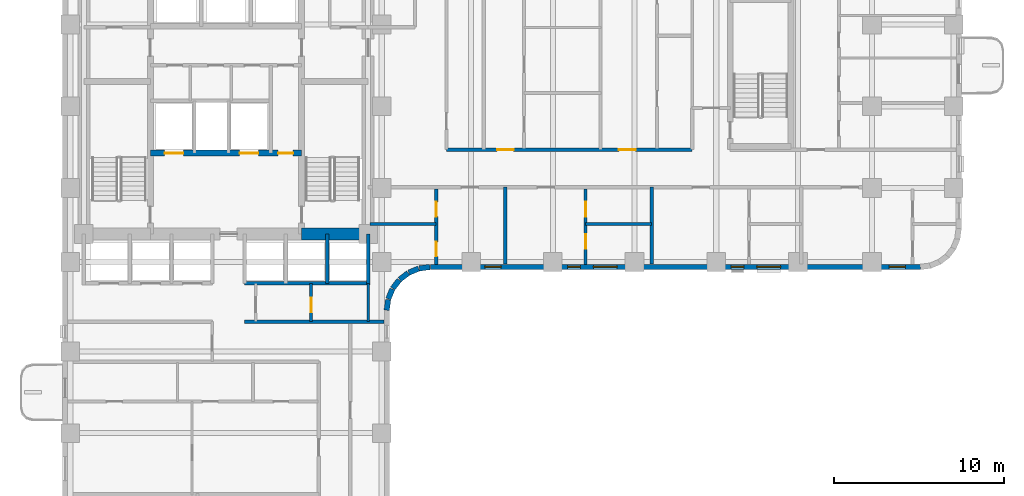
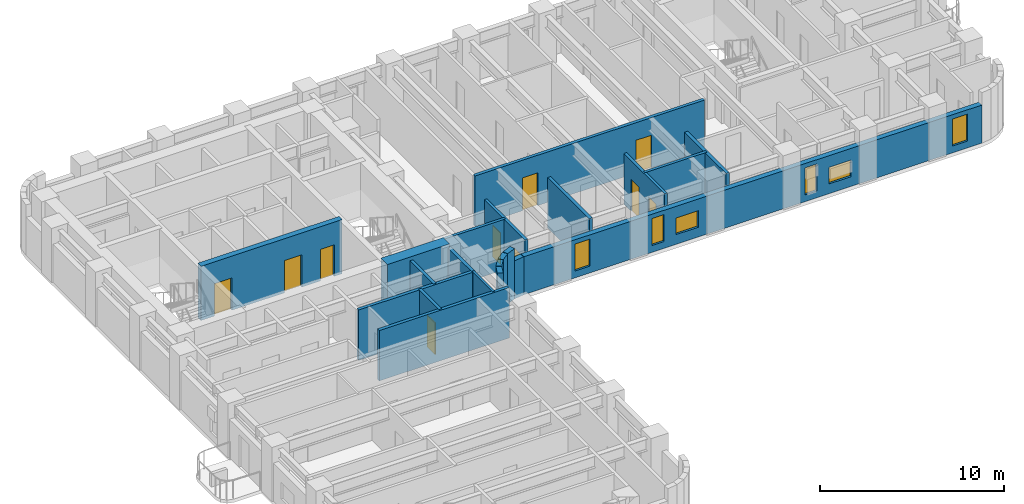
# One storey, part 4 of 11: 22 walls, 10 doors, 6 windows, 16 openings.
"""IFC4 building model written with IfcOpenShell, lengths in metres."""

from ifc_helpers import new_model, si_unit, direction, frame, frame_2d, origin, place, context, subcontext, project, spatial, rectangle, extrude, material, layer, layer_set, type_object, element, fill, save


model = new_model("IFC4")

# Units and contexts
model_context = context("Model", 3, precision=1e-05, world=origin(), true_north=direction((0.0, 1.0)))
body_context = subcontext(model_context, "Body", "Model", "MODEL_VIEW")
ifc_project = project(units=[si_unit("LENGTHUNIT", "METRE"), si_unit("AREAUNIT", "SQUARE_METRE"), si_unit("VOLUMEUNIT", "CUBIC_METRE"), si_unit("PLANEANGLEUNIT", "RADIAN"), si_unit("MASSUNIT", "GRAM", prefix="KILO")], contexts=[model_context])

# Site, building, storey
site_placement = place(None, origin())
site = spatial("IfcSite", under=ifc_project, at=site_placement, CompositionType="ELEMENT")
building_placement = place(site_placement, origin())
building = spatial("IfcBuilding", under=site, at=building_placement, Name="Orvandelia Arch Residences", CompositionType="ELEMENT")
storey_placement = place(building_placement, frame((0.0, 0.0, 79.0)))
storey = spatial("IfcBuildingStorey", under=building, at=storey_placement, Name="L20", CompositionType="ELEMENT", Elevation=79.0)

# Wall, openings, doors
ifc_material_1 = material(Name="Concrete C50/60", Category="concrete")
ifc_layer_1 = layer(ifc_material_1, 0.35009765625, Name="Concrete C50/60", Category="concrete")
ifc_layer_set_1 = layer_set([ifc_layer_1], Name="Concrete C50/60")
wall_type_1 = type_object("IfcWallType", Name="WL-CORE-350", PredefinedType="SHEAR", material=ifc_layer_set_1)
wall_1_placement = place(storey_placement, frame((9.9599609375, 35.64990234375, 0.0), z_axis=(0.0, 0.0, 1.0), x_axis=(1.0, 0.0, 0.0)))
wall_1 = element("IfcWall", 1, at=wall_1_placement, inside=storey, type_object=wall_type_1, Name="Core Shear Wall L20-HZ3", PredefinedType="SHEAR", context=body_context, shape_type="SweptSolid", body=[
    extrude(rectangle(XDim=8.880126953125, YDim=0.35009765625, at=frame_2d((4.43994140625, 0.0))), origin(), (0.0, 0.0, 1.0), 3.60009765625),
])
opening_1_placement = place(wall_1_placement, frame((0.840087890625, 0.0, 0.0)))
opening_1 = element("IfcOpeningElement", 2, at=opening_1_placement, cuts=wall_1, Name="Opening FLD", PredefinedType="OPENING", context=body_context, shape_type="SweptSolid", body=[
    extrude(rectangle(XDim=1.10009765625, YDim=2.14990234375, at=frame_2d((0.550048828125, 1.074951171875))), frame((0.0, 0.18505859375, 0.0), z_axis=(0.0, -1.0, 0.0), x_axis=(1.0, 0.0, 0.0)), (0.0, 0.0, 1.0), 0.3701171875),
])
opening_2_placement = place(wall_1_placement, frame((5.239990234375, 0.0, 0.0)))
opening_2 = element("IfcOpeningElement", 3, at=opening_2_placement, cuts=wall_1, Name="Opening FLD", PredefinedType="OPENING", context=body_context, shape_type="SweptSolid", body=[
    extrude(rectangle(XDim=1.10009765625, YDim=2.14990234375, at=frame_2d((0.550048828125, 1.074951171875))), frame((0.0, 0.18505859375, 0.0), z_axis=(0.0, -1.0, 0.0), x_axis=(1.0, 0.0, 0.0)), (0.0, 0.0, 1.0), 0.3701171875),
])
opening_3_placement = place(wall_1_placement, frame((7.5, 0.0, 0.0)))
opening_3 = element("IfcOpeningElement", 4, at=opening_3_placement, cuts=wall_1, Name="Opening D5", PredefinedType="OPENING", context=body_context, shape_type="SweptSolid", body=[
    extrude(rectangle(XDim=0.8798828125, YDim=2.10009765625, at=frame_2d((0.43994140625, 1.050048828125))), frame((0.0, 0.18505859375, 0.0), z_axis=(0.0, -1.0, 0.0), x_axis=(1.0, 0.0, 0.0)), (0.0, 0.0, 1.0), 0.3701171875),
])
ifc_material_2 = material(Name="Firefighting Lift Stainless Sliding Door")
door_type_1 = type_object("IfcDoorType", Name="DR-FLFT-1100", OperationType="NOTDEFINED", PredefinedType="DOOR", material=ifc_material_2)
door_1_placement = place(opening_1_placement, origin())
door_1 = element("IfcDoor", 5, at=door_1_placement, inside=storey, type_object=door_type_1, Name="Firefighting Lift Landing Door FLD-FL1-L20", OperationType="SLIDING_TO_LEFT", OverallHeight=2.14990234375, OverallWidth=1.10009765625, PredefinedType="DOOR", context=body_context, shape_type="SweptSolid", body=[
    extrude(rectangle(XDim=1.10009765625, YDim=2.14990234375, at=frame_2d((0.550048828125, 1.074951171875))), frame((0.0, 0.02490234375, 0.0), z_axis=(0.0, -1.0, 0.0), x_axis=(1.0, 0.0, 0.0)), (0.0, 0.0, 1.0), 0.050048828125),
])
fill(opening_1, door_1)
door_2_placement = place(opening_2_placement, origin())
door_2 = element("IfcDoor", 6, at=door_2_placement, inside=storey, type_object=door_type_1, Name="Firefighting Lift Landing Door FLD-FL2-L20", OperationType="SLIDING_TO_RIGHT", OverallHeight=2.14990234375, OverallWidth=1.10009765625, PredefinedType="DOOR", context=body_context, shape_type="SweptSolid", body=[
    extrude(rectangle(XDim=1.10009765625, YDim=2.14990234375, at=frame_2d((0.550048828125, 1.074951171875))), frame((0.0, 0.02490234375, 0.0), z_axis=(0.0, -1.0, 0.0), x_axis=(1.0, 0.0, 0.0)), (0.0, 0.0, 1.0), 0.050048828125),
])
fill(opening_2, door_2)
ifc_material_3 = material(Name="Painted Galvanised Steel Service Door", Category="steel")
door_type_2 = type_object("IfcDoorType", Name="DR-SRV-880", OperationType="NOTDEFINED", PredefinedType="DOOR", material=ifc_material_3)
door_3_placement = place(opening_3_placement, origin())
door_3 = element("IfcDoor", 7, at=door_3_placement, inside=storey, type_object=door_type_2, Name="Core Stairway Passage South Fire Door L20", OperationType="SINGLE_SWING_LEFT", OverallHeight=2.10009765625, OverallWidth=0.8798828125, PredefinedType="DOOR", context=body_context, shape_type="SweptSolid", body=[
    extrude(rectangle(XDim=0.8798828125, YDim=2.10009765625, at=frame_2d((0.43994140625, 1.050048828125))), frame((0.0, 0.02490234375, 0.0), z_axis=(0.0, -1.0, 0.0), x_axis=(1.0, 0.0, 0.0)), (0.0, 0.0, 1.0), 0.050048828125),
])
fill(opening_3, door_3)

# Walls
ifc_material_4 = material(Name="Concrete C80/95", Category="concrete")
ifc_layer_2 = layer(ifc_material_4, 0.699951171875, Name="Concrete C80/95", Category="concrete")
ifc_layer_set_2 = layer_set([ifc_layer_2], Name="Concrete C80/95")
wall_type_2 = type_object("IfcWallType", Name="WL-CORE-700", PredefinedType="SHEAR", material=ifc_layer_set_2)
wall_2_placement = place(storey_placement, frame((18.840087890625, 30.89990234375, 0.0), z_axis=(0.0, 0.0, 1.0), x_axis=(1.0, 0.0, 0.0)))
element("IfcWall", 8, at=wall_2_placement, inside=storey, type_object=wall_type_2, Name="Core Shear Wall L20-SE", PredefinedType="SHEAR", context=body_context, shape_type="SweptSolid", body=[
    extrude(rectangle(XDim=3.909912109375, YDim=0.699951171875, at=frame_2d((1.955078125, 0.0))), origin(), (0.0, 0.0, 1.0), 3.60009765625),
])
ifc_material_5 = material(Name="Fire-Rated Corridor Partition")
ifc_layer_3 = layer(ifc_material_5, 0.199951171875, Name="Fire-Rated Corridor Partition")
ifc_layer_set_3 = layer_set([ifc_layer_3], Name="Fire-Rated Corridor Partition")
wall_type_3 = type_object("IfcWallType", Name="WL-CORR-200", PredefinedType="PARTITIONING", material=ifc_layer_set_3)
wall_3_placement = place(storey_placement, frame((15.5, 25.75, 0.0), z_axis=(0.0, 0.0, 1.0), x_axis=(1.0, 0.0, 0.0)))
element("IfcWall", 9, at=wall_3_placement, inside=storey, type_object=wall_type_3, Name="Interior Partition Wall WL-L20-WLNK-NE", PredefinedType="PARTITIONING", context=body_context, shape_type="SweptSolid", body=[
    extrude(rectangle(XDim=8.179931640625, YDim=0.199951171875, at=frame_2d((4.08984375, 0.0))), origin(), (0.0, 0.0, 1.0), 3.35009765625),
])

# Wall, openings, doors
wall_4_placement = place(storey_placement, frame((27.35009765625, 35.85009765625, 0.0), z_axis=(0.0, 0.0, 1.0), x_axis=(1.0, 0.0, 0.0)))
wall_4 = element("IfcWall", 10, at=wall_4_placement, inside=storey, type_object=wall_type_3, Name="Interior Partition Wall WL-L20-ES-N1", PredefinedType="PARTITIONING", context=body_context, shape_type="SweptSolid", body=[
    extrude(rectangle(XDim=14.429931640625, YDim=0.199951171875, at=frame_2d((7.21484375, 0.0))), origin(), (0.0, 0.0, 1.0), 3.35009765625),
])
opening_4_placement = place(wall_4_placement, frame((2.969970703125, 0.0, 0.0)))
opening_4 = element("IfcOpeningElement", 11, at=opening_4_placement, cuts=wall_4, Name="Opening D1", PredefinedType="OPENING", context=body_context, shape_type="SweptSolid", body=[
    extrude(rectangle(XDim=0.97998046875, YDim=2.179931640625, at=frame_2d((0.489990234375, 1.08984375))), frame((0.0, 0.10986328125, 0.0), z_axis=(0.0, -1.0, 0.0), x_axis=(1.0, 0.0, 0.0)), (0.0, 0.0, 1.0), 0.219970703125),
])
opening_5_placement = place(wall_4_placement, frame((10.125, 0.0, 0.0)))
opening_5 = element("IfcOpeningElement", 12, at=opening_5_placement, cuts=wall_4, Name="Opening D1", PredefinedType="OPENING", context=body_context, shape_type="SweptSolid", body=[
    extrude(rectangle(XDim=0.97998046875, YDim=2.179931640625, at=frame_2d((0.489990234375, 1.08984375))), frame((0.0, 0.10986328125, 0.0), z_axis=(0.0, -1.0, 0.0), x_axis=(1.0, 0.0, 0.0)), (0.0, 0.0, 1.0), 0.219970703125),
])
ifc_material_6 = material(Name="Solid-Core Timber Acoustic Fire Door", Category="wood")
door_type_3 = type_object("IfcDoorType", Name="DR-ENT-980", OperationType="NOTDEFINED", PredefinedType="DOOR", material=ifc_material_6)
door_4_placement = place(opening_4_placement, origin())
door_4 = element("IfcDoor", 13, at=door_4_placement, inside=storey, type_object=door_type_3, Name="Unit L20-08 Entrance Door", OperationType="SINGLE_SWING_RIGHT", OverallHeight=2.179931640625, OverallWidth=0.97998046875, PredefinedType="DOOR", context=body_context, shape_type="SweptSolid", body=[
    extrude(rectangle(XDim=0.97998046875, YDim=2.179931640625, at=frame_2d((0.489990234375, 1.08984375))), frame((0.0, 0.02490234375, 0.0), z_axis=(0.0, -1.0, 0.0), x_axis=(1.0, 0.0, 0.0)), (0.0, 0.0, 1.0), 0.050048828125),
])
fill(opening_4, door_4)
door_5_placement = place(opening_5_placement, origin())
door_5 = element("IfcDoor", 14, at=door_5_placement, inside=storey, type_object=door_type_3, Name="Unit L20-09 Entrance Door", OperationType="SINGLE_SWING_LEFT", OverallHeight=2.179931640625, OverallWidth=0.97998046875, PredefinedType="DOOR", context=body_context, shape_type="SweptSolid", body=[
    extrude(rectangle(XDim=0.97998046875, YDim=2.179931640625, at=frame_2d((0.489990234375, 1.08984375))), frame((0.0, 0.02490234375, 0.0), z_axis=(0.0, -1.0, 0.0), x_axis=(1.0, 0.0, 0.0)), (0.0, 0.0, 1.0), 0.050048828125),
])
fill(opening_5, door_5)

# Walls
ifc_material_7 = material(Name="Concrete C40/50", Category="concrete")
ifc_layer_4 = layer(ifc_material_7, 0.199951171875, Name="Concrete C40/50", Category="concrete")
ifc_layer_set_4 = layer_set([ifc_layer_4], Name="Concrete C40/50")
wall_type_4 = type_object("IfcWallType", Name="WL-DEM-200", PredefinedType="SOLIDWALL", material=ifc_layer_set_4)
for number, where, z_axis, x_axis, name in (
    (15, (30.800048828125, 29.1201171875, 0.0), (0.0, 0.0, 1.0), (0.0, 1.0, 0.0), "Interior Partition Wall WL-L20-DEM-ESS-308"),
    (16, (39.39990234375, 29.1201171875, 0.0), (0.0, 0.0, 1.0), (0.0, 1.0, 0.0), "Interior Partition Wall WL-L20-DEM-ESS-394"),
):
    element("IfcWall", number, at=place(storey_placement, frame(where, z_axis=z_axis, x_axis=x_axis)), inside=storey, type_object=wall_type_4, Name=name, PredefinedType="SOLIDWALL", context=body_context, shape_type="SweptSolid", body=[
        extrude(rectangle(XDim=4.52978515625, YDim=0.199951171875, at=frame_2d((2.264892578125, 0.0))), origin(), (0.0, 0.0, 1.0), 3.35009765625),
    ])

# Wall, openings, windows
ifc_material_8 = material(Name="Precast concrete C40/50", Category="concrete")
ifc_layer_5 = layer(ifc_material_8, 0.320068359375, Name="Precast concrete C40/50", Category="concrete")
ifc_layer_set_5 = layer_set([ifc_layer_5], Name="Precast concrete C40/50")
wall_type_5 = type_object("IfcWallType", Name="WL-EXT-STONE-320", PredefinedType="STANDARD", material=ifc_layer_set_5)
wall_5_placement = place(storey_placement, frame((55.199951171875, 28.9599609375, 0.0), z_axis=(0.0, 0.0, 1.0), x_axis=(-1.0, 0.0, 0.0)))
wall_5 = element("IfcWall", 17, at=wall_5_placement, inside=storey, type_object=wall_type_5, Name="Coral-Limestone Precast Facade Wall L20-021", PredefinedType="STANDARD", context=body_context, shape_type="SweptSolid", body=[
    extrude(rectangle(XDim=28.800048828125, YDim=0.320068359375, at=frame_2d((14.39990234375, 0.0))), origin(), (0.0, 0.0, 1.0), 2.530029296875),
])
opening_6_placement = place(wall_5_placement, frame((24.639892578125, 0.0, 0.449951171875)))
opening_6 = element("IfcOpeningElement", 18, at=opening_6_placement, cuts=wall_5, Name="Opening W4", PredefinedType="OPENING", context=body_context, shape_type="SweptSolid", body=[
    extrude(rectangle(XDim=0.949951171875, YDim=1.800048828125, at=frame_2d((0.47509765625, 0.89990234375))), frame((0.0, 0.169921875, 0.0), z_axis=(0.0, -1.0, 0.0), x_axis=(1.0, 0.0, 0.0)), (0.0, 0.0, 1.0), 0.340087890625),
])
opening_7_placement = place(wall_5_placement, frame((19.97900390625, 0.0, 0.449951171875)))
opening_7 = element("IfcOpeningElement", 19, at=opening_7_placement, cuts=wall_5, Name="Opening W11", PredefinedType="OPENING", context=body_context, shape_type="SweptSolid", body=[
    extrude(rectangle(XDim=0.75, YDim=1.800048828125, at=frame_2d((0.375, 0.89990234375))), frame((0.0, 0.169921875, 0.0), z_axis=(0.0, -1.0, 0.0), x_axis=(1.0, 0.0, 0.0)), (0.0, 0.0, 1.0), 0.340087890625),
])
opening_8_placement = place(wall_5_placement, frame((10.3740234375, 0.0, 0.449951171875)))
opening_8 = element("IfcOpeningElement", 20, at=opening_8_placement, cuts=wall_5, Name="Opening W11", PredefinedType="OPENING", context=body_context, shape_type="SweptSolid", body=[
    extrude(rectangle(XDim=0.75, YDim=1.800048828125, at=frame_2d((0.375, 0.89990234375))), frame((0.0, 0.169921875, 0.0), z_axis=(0.0, -1.0, 0.0), x_axis=(1.0, 0.0, 0.0)), (0.0, 0.0, 1.0), 0.340087890625),
])
opening_9_placement = place(wall_5_placement, frame((0.89990234375, 0.0, 0.449951171875)))
opening_9 = element("IfcOpeningElement", 21, at=opening_9_placement, cuts=wall_5, Name="Opening W4", PredefinedType="OPENING", context=body_context, shape_type="SweptSolid", body=[
    extrude(rectangle(XDim=0.949951171875, YDim=1.800048828125, at=frame_2d((0.47509765625, 0.89990234375))), frame((0.0, 0.169921875, 0.0), z_axis=(0.0, -1.0, 0.0), x_axis=(1.0, 0.0, 0.0)), (0.0, 0.0, 1.0), 0.340087890625),
])
opening_10_placement = place(wall_5_placement, frame((17.823974609375, 0.0, 0.64990234375)))
opening_10 = element("IfcOpeningElement", 22, at=opening_10_placement, cuts=wall_5, Name="Opening W10", PredefinedType="OPENING", context=body_context, shape_type="SweptSolid", body=[
    extrude(rectangle(XDim=1.39990234375, YDim=1.10009765625, at=frame_2d((0.699951171875, 0.550048828125))), frame((0.0, 0.169921875, 0.0), z_axis=(0.0, -1.0, 0.0), x_axis=(1.0, 0.0, 0.0)), (0.0, 0.0, 1.0), 0.340087890625),
])
opening_11_placement = place(wall_5_placement, frame((8.218994140625, 0.0, 0.64990234375)))
opening_11 = element("IfcOpeningElement", 23, at=opening_11_placement, cuts=wall_5, Name="Opening W10", PredefinedType="OPENING", context=body_context, shape_type="SweptSolid", body=[
    extrude(rectangle(XDim=1.39990234375, YDim=1.10009765625, at=frame_2d((0.699951171875, 0.550048828125))), frame((0.0, 0.169921875, 0.0), z_axis=(0.0, -1.0, 0.0), x_axis=(1.0, 0.0, 0.0)), (0.0, 0.0, 1.0), 0.340087890625),
])
ifc_material_9 = material(Name="Tempered Low-E Insulated Glazing", Category="glass")
window_type_1 = type_object("IfcWindowType", Name="WIN-BED-0750x1800", PartitioningType="SINGLE_PANEL", PredefinedType="WINDOW", material=ifc_material_9)
window_1_placement = place(opening_7_placement, origin())
window_1 = element("IfcWindow", 24, at=window_1_placement, inside=storey, type_object=window_type_1, Name="Recessed Punched Window L20-017", OverallHeight=1.800048828125, OverallWidth=0.75, PartitioningType="SINGLE_PANEL", PredefinedType="WINDOW", context=body_context, shape_type="SweptSolid", body=[
    extrude(rectangle(XDim=0.75, YDim=1.800048828125, at=frame_2d((0.375, 0.89990234375))), frame((0.0, 0.030029296875, 0.0), z_axis=(0.0, -1.0, 0.0), x_axis=(1.0, 0.0, 0.0)), (0.0, 0.0, 1.0), 0.06005859375),
])
fill(opening_7, window_1)
window_2_placement = place(opening_8_placement, origin())
window_2 = element("IfcWindow", 25, at=window_2_placement, inside=storey, type_object=window_type_1, Name="Recessed Punched Window L20-018", OverallHeight=1.800048828125, OverallWidth=0.75, PartitioningType="SINGLE_PANEL", PredefinedType="WINDOW", context=body_context, shape_type="SweptSolid", body=[
    extrude(rectangle(XDim=0.75, YDim=1.800048828125, at=frame_2d((0.375, 0.89990234375))), frame((0.0, 0.030029296875, 0.0), z_axis=(0.0, -1.0, 0.0), x_axis=(1.0, 0.0, 0.0)), (0.0, 0.0, 1.0), 0.06005859375),
])
fill(opening_8, window_2)
window_type_2 = type_object("IfcWindowType", Name="WIN-CLR-1400x1100", PartitioningType="SINGLE_PANEL", PredefinedType="WINDOW", material=ifc_material_9)
window_3_placement = place(opening_10_placement, origin())
window_3 = element("IfcWindow", 26, at=window_3_placement, inside=storey, type_object=window_type_2, Name="Recessed Punched Window L20-020", OverallHeight=1.10009765625, OverallWidth=1.39990234375, PartitioningType="SINGLE_PANEL", PredefinedType="WINDOW", context=body_context, shape_type="SweptSolid", body=[
    extrude(rectangle(XDim=1.39990234375, YDim=1.10009765625, at=frame_2d((0.699951171875, 0.550048828125))), frame((0.0, 0.030029296875, 0.0), z_axis=(0.0, -1.0, 0.0), x_axis=(1.0, 0.0, 0.0)), (0.0, 0.0, 1.0), 0.06005859375),
])
fill(opening_10, window_3)
window_4_placement = place(opening_11_placement, origin())
window_4 = element("IfcWindow", 27, at=window_4_placement, inside=storey, type_object=window_type_2, Name="Recessed Punched Window L20-021", OverallHeight=1.10009765625, OverallWidth=1.39990234375, PartitioningType="SINGLE_PANEL", PredefinedType="WINDOW", context=body_context, shape_type="SweptSolid", body=[
    extrude(rectangle(XDim=1.39990234375, YDim=1.10009765625, at=frame_2d((0.699951171875, 0.550048828125))), frame((0.0, 0.030029296875, 0.0), z_axis=(0.0, -1.0, 0.0), x_axis=(1.0, 0.0, 0.0)), (0.0, 0.0, 1.0), 0.06005859375),
])
fill(opening_11, window_4)
window_type_3 = type_object("IfcWindowType", Name="WIN-RES-0950x1800", PartitioningType="SINGLE_PANEL", PredefinedType="WINDOW", material=ifc_material_9)
window_5_placement = place(opening_6_placement, origin())
window_5 = element("IfcWindow", 28, at=window_5_placement, inside=storey, type_object=window_type_3, Name="Recessed Punched Window L20-016", OverallHeight=1.800048828125, OverallWidth=0.949951171875, PartitioningType="SINGLE_PANEL", PredefinedType="WINDOW", context=body_context, shape_type="SweptSolid", body=[
    extrude(rectangle(XDim=0.949951171875, YDim=1.800048828125, at=frame_2d((0.47509765625, 0.89990234375))), frame((0.0, 0.030029296875, 0.0), z_axis=(0.0, -1.0, 0.0), x_axis=(1.0, 0.0, 0.0)), (0.0, 0.0, 1.0), 0.06005859375),
])
fill(opening_6, window_5)
window_6_placement = place(opening_9_placement, origin())
window_6 = element("IfcWindow", 29, at=window_6_placement, inside=storey, type_object=window_type_3, Name="Recessed Punched Window L20-019", OverallHeight=1.800048828125, OverallWidth=0.949951171875, PartitioningType="SINGLE_PANEL", PredefinedType="WINDOW", context=body_context, shape_type="SweptSolid", body=[
    extrude(rectangle(XDim=0.949951171875, YDim=1.800048828125, at=frame_2d((0.47509765625, 0.89990234375))), frame((0.0, 0.030029296875, 0.0), z_axis=(0.0, -1.0, 0.0), x_axis=(1.0, 0.0, 0.0)), (0.0, 0.0, 1.0), 0.06005859375),
])
fill(opening_9, window_6)

# Walls
wall_6_placement = place(storey_placement, frame((26.379150390625, 28.95849609375, 0.0), z_axis=(0.0, 0.0, 1.0), x_axis=(-0.991447664465, -0.130504898859, 0.0)))
element("IfcWall", 30, at=wall_6_placement, inside=storey, type_object=wall_type_5, Name="Coral-Limestone Precast Facade Wall L20-022", PredefinedType="STANDARD", context=body_context, shape_type="SweptSolid", body=[
    extrude(rectangle(XDim=0.626708984375, YDim=0.320068359375, at=frame_2d((0.3134765625, 0.0))), origin(), (0.0, 0.0, 1.0), 2.530029296875),
])
wall_7_placement = place(storey_placement, frame((25.717529296875, 28.865966796875, 0.0), z_axis=(0.0, 0.0, 1.0), x_axis=(-0.923836271867, -0.382787856107, 0.0)))
element("IfcWall", 31, at=wall_7_placement, inside=storey, type_object=wall_type_5, Name="Coral-Limestone Precast Facade Wall L20-023", PredefinedType="STANDARD", context=body_context, shape_type="SweptSolid", body=[
    extrude(rectangle(XDim=0.626220703125, YDim=0.320068359375, at=frame_2d((0.31298828125, 0.0))), origin(), (0.0, 0.0, 1.0), 3.35009765625),
])
for number, where, z_axis, x_axis, name in (
    (32, (25.1025390625, 28.60546875, 0.0), (0.0, 0.0, 1.0), (-0.793405610854, -0.608693302629, 0.0), "Coral-Limestone Precast Facade Wall L20-024"),
    (33, (24.575927734375, 28.194580078125, 0.0), (0.0, 0.0, 1.0), (-0.608693302629, -0.793405610854, 0.0), "Coral-Limestone Precast Facade Wall L20-025"),
):
    element("IfcWall", number, at=place(storey_placement, frame(where, z_axis=z_axis, x_axis=x_axis)), inside=storey, type_object=wall_type_5, Name=name, PredefinedType="STANDARD", context=body_context, shape_type="SweptSolid", body=[
        extrude(rectangle(XDim=0.62646484375, YDim=0.320068359375, at=frame_2d((0.313232421875, 0.0))), origin(), (0.0, 0.0, 1.0), 3.35009765625),
    ])
wall_8_placement = place(storey_placement, frame((24.173583984375, 27.6611328125, 0.0), z_axis=(0.0, 0.0, 1.0), x_axis=(-0.382455093999, -0.923974080304, 0.0)))
element("IfcWall", 34, at=wall_8_placement, inside=storey, type_object=wall_type_5, Name="Coral-Limestone Precast Facade Wall L20-026", PredefinedType="STANDARD", context=body_context, shape_type="SweptSolid", body=[
    extrude(rectangle(XDim=0.626220703125, YDim=0.320068359375, at=frame_2d((0.31298828125, 0.0))), origin(), (0.0, 0.0, 1.0), 3.35009765625),
])
wall_9_placement = place(storey_placement, frame((23.923095703125, 27.0419921875, 0.0), z_axis=(0.0, 0.0, 1.0), x_axis=(-0.130555323746, -0.9914410257, 0.0)))
element("IfcWall", 35, at=wall_9_placement, inside=storey, type_object=wall_type_5, Name="Coral-Limestone Precast Facade Wall L20-027", PredefinedType="STANDARD", context=body_context, shape_type="SweptSolid", body=[
    extrude(rectangle(XDim=0.62646484375, YDim=0.320068359375, at=frame_2d((0.313232421875, 0.0))), origin(), (0.0, 0.0, 1.0), 2.530029296875),
])
ifc_material_10 = material(Name="Acoustic Gypsum Stud Partition")
ifc_layer_6 = layer(ifc_material_10, 0.14990234375, Name="Acoustic Gypsum Stud Partition")
ifc_layer_set_6 = layer_set([ifc_layer_6], Name="Acoustic Gypsum Stud Partition")
wall_type_6 = type_object("IfcWallType", Name="WL-PART-150", PredefinedType="PARTITIONING", material=ifc_layer_set_6)
wall_10_placement = place(storey_placement, frame((22.75, 25.75, 0.0), z_axis=(0.0, 0.0, 1.0), x_axis=(0.0, 1.0, 0.0)))
element("IfcWall", 36, at=wall_10_placement, inside=storey, type_object=wall_type_6, Name="Interior Partition Wall WL-L20-HLS-EE", PredefinedType="PARTITIONING", context=body_context, shape_type="SweptSolid", body=[
    extrude(rectangle(XDim=2.25, YDim=0.14990234375, at=frame_2d((1.125, 0.0))), origin(), (0.0, 0.0, 1.0), 3.35009765625),
])
ifc_material_11 = material(Name="Fire-Rated Shaft Enclosure Wall")
ifc_layer_7 = layer(ifc_material_11, 0.199951171875, Name="Fire-Rated Shaft Enclosure Wall")
ifc_layer_set_7 = layer_set([ifc_layer_7], Name="Fire-Rated Shaft Enclosure Wall")
wall_type_7 = type_object("IfcWallType", Name="WL-SHAFT-200", PredefinedType="POLYGONAL", material=ifc_layer_set_7)
wall_11_placement = place(storey_placement, frame((15.5, 28.0, 0.0), z_axis=(0.0, 0.0, 1.0), x_axis=(1.0, 0.0, 0.0)))
element("IfcWall", 37, at=wall_11_placement, inside=storey, type_object=wall_type_7, Name="Interior Partition Wall WL-L20-BNKM-S", PredefinedType="POLYGONAL", context=body_context, shape_type="SweptSolid", body=[
    extrude(rectangle(XDim=7.25, YDim=0.199951171875, at=frame_2d((3.625, 0.0))), origin(), (0.0, 0.0, 1.0), 3.35009765625),
])
wall_12_placement = place(storey_placement, frame((22.75, 27.89990234375, 0.0), z_axis=(0.0, 0.0, 1.0), x_axis=(0.0, 1.0, 0.0)))
element("IfcWall", 38, at=wall_12_placement, inside=storey, type_object=wall_type_7, Name="Interior Partition Wall WL-L20-BNKM-E", PredefinedType="POLYGONAL", context=body_context, shape_type="SweptSolid", body=[
    extrude(rectangle(XDim=3.0, YDim=0.199951171875, at=frame_2d((1.5, 0.0))), origin(), (0.0, 0.0, 1.0), 3.35009765625),
])
wall_13_placement = place(storey_placement, frame((20.35009765625, 28.0, 0.0), z_axis=(0.0, 0.0, 1.0), x_axis=(0.0, 1.0, 0.0)))
element("IfcWall", 39, at=wall_13_placement, inside=storey, type_object=wall_type_7, Name="Interior Partition Wall WL-L20-BNKD-2035", PredefinedType="POLYGONAL", context=body_context, shape_type="SweptSolid", body=[
    extrude(rectangle(XDim=2.89990234375, YDim=0.199951171875, at=frame_2d((1.449951171875, 0.0))), origin(), (0.0, 0.0, 1.0), 3.35009765625),
])

# Wall, opening, door
ifc_material_12 = material(Name="Moisture-Resistant Plumbing Wall")
ifc_layer_8 = layer(ifc_material_12, 0.179931640625, Name="Moisture-Resistant Plumbing Wall")
ifc_layer_set_8 = layer_set([ifc_layer_8], Name="Moisture-Resistant Plumbing Wall")
wall_type_8 = type_object("IfcWallType", Name="WL-WET-180", PredefinedType="PLUMBINGWALL", material=ifc_layer_set_8)
wall_14_placement = place(storey_placement, frame((19.39990234375, 25.75, 0.0), z_axis=(0.0, 0.0, 1.0), x_axis=(0.0, 1.0, 0.0)))
wall_14 = element("IfcWall", 40, at=wall_14_placement, inside=storey, type_object=wall_type_8, Name="Interior Partition Wall WL-L20-HLS-ZM2", PredefinedType="PLUMBINGWALL", context=body_context, shape_type="SweptSolid", body=[
    extrude(rectangle(XDim=2.25, YDim=0.179931640625, at=frame_2d((1.125, 0.0))), origin(), (0.0, 0.0, 1.0), 3.35009765625),
])
opening_12_placement = place(wall_14_placement, frame((0.550048828125, 0.0, 0.0)))
opening_12 = element("IfcOpeningElement", 41, at=opening_12_placement, cuts=wall_14, Name="Opening D4", PredefinedType="OPENING", context=body_context, shape_type="SweptSolid", body=[
    extrude(rectangle(XDim=0.860107421875, YDim=2.10009765625, at=frame_2d((0.43017578125, 1.050048828125))), frame((0.0, 0.10009765625, 0.0), z_axis=(0.0, -1.0, 0.0), x_axis=(1.0, 0.0, 0.0)), (0.0, 0.0, 1.0), 0.199951171875),
])
ifc_material_13 = material(Name="Moisture-Sealed Timber Bathroom Door", Category="wood")
door_type_4 = type_object("IfcDoorType", Name="DR-WET-900", OperationType="NOTDEFINED", PredefinedType="DOOR", material=ifc_material_13)
door_6_placement = place(opening_12_placement, origin())
door_6 = element("IfcDoor", 42, at=door_6_placement, inside=storey, type_object=door_type_4, Name="DR-L20-CSZ1B", OperationType="SINGLE_SWING_LEFT", OverallHeight=2.10009765625, OverallWidth=0.860107421875, PredefinedType="DOOR", context=body_context, shape_type="SweptSolid", body=[
    extrude(rectangle(XDim=0.860107421875, YDim=2.10009765625, at=frame_2d((0.43017578125, 1.050048828125))), frame((0.0, 0.02490234375, 0.0), z_axis=(0.0, -1.0, 0.0), x_axis=(1.0, 0.0, 0.0)), (0.0, 0.0, 1.0), 0.050048828125),
])
fill(opening_12, door_6)

# Wall, openings, doors
wall_15_placement = place(storey_placement, frame((26.75, 29.1201171875, 0.0), z_axis=(0.0, 0.0, 1.0), x_axis=(0.0, 1.0, 0.0)))
wall_15 = element("IfcWall", 43, at=wall_15_placement, inside=storey, type_object=wall_type_8, Name="Interior Partition Wall WL-L20-U04-VT", PredefinedType="PLUMBINGWALL", context=body_context, shape_type="SweptSolid", body=[
    extrude(rectangle(XDim=4.429931640625, YDim=0.179931640625, at=frame_2d((2.21484375, 0.0))), origin(), (0.0, 0.0, 1.0), 3.35009765625),
])
opening_13_placement = place(wall_15_placement, frame((0.458740234375, 0.0, 0.0)))
opening_13 = element("IfcOpeningElement", 44, at=opening_13_placement, cuts=wall_15, Name="Opening D4", PredefinedType="OPENING", context=body_context, shape_type="SweptSolid", body=[
    extrude(rectangle(XDim=0.860107421875, YDim=2.10009765625, at=frame_2d((0.43017578125, 1.050048828125))), frame((0.0, 0.10009765625, 0.0), z_axis=(0.0, -1.0, 0.0), x_axis=(1.0, 0.0, 0.0)), (0.0, 0.0, 1.0), 0.199951171875),
])
opening_14_placement = place(wall_15_placement, frame((2.79931640625, 0.0, 0.0)))
opening_14 = element("IfcOpeningElement", 45, at=opening_14_placement, cuts=wall_15, Name="Opening D4", PredefinedType="OPENING", context=body_context, shape_type="SweptSolid", body=[
    extrude(rectangle(XDim=0.860107421875, YDim=2.10009765625, at=frame_2d((0.43017578125, 1.050048828125))), frame((0.0, 0.10009765625, 0.0), z_axis=(0.0, -1.0, 0.0), x_axis=(1.0, 0.0, 0.0)), (0.0, 0.0, 1.0), 0.199951171875),
])
door_7_placement = place(opening_13_placement, origin())
door_7 = element("IfcDoor", 46, at=door_7_placement, inside=storey, type_object=door_type_4, Name="DR-L20-U04-KIT", OperationType="SINGLE_SWING_RIGHT", OverallHeight=2.10009765625, OverallWidth=0.860107421875, PredefinedType="DOOR", context=body_context, shape_type="SweptSolid", body=[
    extrude(rectangle(XDim=0.860107421875, YDim=2.10009765625, at=frame_2d((0.43017578125, 1.050048828125))), frame((0.0, 0.02490234375, 0.0), z_axis=(0.0, -1.0, 0.0), x_axis=(1.0, 0.0, 0.0)), (0.0, 0.0, 1.0), 0.050048828125),
])
fill(opening_13, door_7)
door_8_placement = place(opening_14_placement, origin())
door_8 = element("IfcDoor", 47, at=door_8_placement, inside=storey, type_object=door_type_4, Name="DR-L20-U04-BTH", OperationType="SINGLE_SWING_LEFT", OverallHeight=2.10009765625, OverallWidth=0.860107421875, PredefinedType="DOOR", context=body_context, shape_type="SweptSolid", body=[
    extrude(rectangle(XDim=0.860107421875, YDim=2.10009765625, at=frame_2d((0.43017578125, 1.050048828125))), frame((0.0, 0.02490234375, 0.0), z_axis=(0.0, -1.0, 0.0), x_axis=(1.0, 0.0, 0.0)), (0.0, 0.0, 1.0), 0.050048828125),
])
fill(opening_14, door_8)

# Wall
wall_16_placement = place(storey_placement, frame((22.85009765625, 31.485107421875, 0.0), z_axis=(0.0, 0.0, 1.0), x_axis=(1.0, 0.0, 0.0)))
element("IfcWall", 48, at=wall_16_placement, inside=storey, type_object=wall_type_8, Name="Interior Partition Wall WL-L20-U04-H1", PredefinedType="PLUMBINGWALL", context=body_context, shape_type="SweptSolid", body=[
    extrude(rectangle(XDim=3.89990234375, YDim=0.179931640625, at=frame_2d((1.949951171875, 0.0))), origin(), (0.0, 0.0, 1.0), 3.35009765625),
])

# Wall, openings, doors
wall_17_placement = place(storey_placement, frame((35.52197265625, 29.1201171875, 0.0), z_axis=(0.0, 0.0, 1.0), x_axis=(0.0, 1.0, 0.0)))
wall_17 = element("IfcWall", 49, at=wall_17_placement, inside=storey, type_object=wall_type_8, Name="Interior Partition Wall WL-L20-U05-VT", PredefinedType="PLUMBINGWALL", context=body_context, shape_type="SweptSolid", body=[
    extrude(rectangle(XDim=4.429931640625, YDim=0.179931640625, at=frame_2d((2.21484375, 0.0))), origin(), (0.0, 0.0, 1.0), 3.35009765625),
])
opening_15_placement = place(wall_17_placement, frame((0.90869140625, 0.0, 0.0)))
opening_15 = element("IfcOpeningElement", 50, at=opening_15_placement, cuts=wall_17, Name="Opening D4", PredefinedType="OPENING", context=body_context, shape_type="SweptSolid", body=[
    extrude(rectangle(XDim=0.860107421875, YDim=2.10009765625, at=frame_2d((0.43017578125, 1.050048828125))), frame((0.0, 0.10009765625, 0.0), z_axis=(0.0, -1.0, 0.0), x_axis=(1.0, 0.0, 0.0)), (0.0, 0.0, 1.0), 0.199951171875),
])
opening_16_placement = place(wall_17_placement, frame((2.79931640625, 0.0, 0.0)))
opening_16 = element("IfcOpeningElement", 51, at=opening_16_placement, cuts=wall_17, Name="Opening D4", PredefinedType="OPENING", context=body_context, shape_type="SweptSolid", body=[
    extrude(rectangle(XDim=0.860107421875, YDim=2.10009765625, at=frame_2d((0.43017578125, 1.050048828125))), frame((0.0, 0.10009765625, 0.0), z_axis=(0.0, -1.0, 0.0), x_axis=(1.0, 0.0, 0.0)), (0.0, 0.0, 1.0), 0.199951171875),
])
door_9_placement = place(opening_15_placement, origin())
door_9 = element("IfcDoor", 52, at=door_9_placement, inside=storey, type_object=door_type_4, Name="DR-L20-U05-KIT", OperationType="SINGLE_SWING_LEFT", OverallHeight=2.10009765625, OverallWidth=0.860107421875, PredefinedType="DOOR", context=body_context, shape_type="SweptSolid", body=[
    extrude(rectangle(XDim=0.860107421875, YDim=2.10009765625, at=frame_2d((0.43017578125, 1.050048828125))), frame((0.0, 0.02490234375, 0.0), z_axis=(0.0, -1.0, 0.0), x_axis=(1.0, 0.0, 0.0)), (0.0, 0.0, 1.0), 0.050048828125),
])
fill(opening_15, door_9)
door_10_placement = place(opening_16_placement, origin())
door_10 = element("IfcDoor", 53, at=door_10_placement, inside=storey, type_object=door_type_4, Name="DR-L20-U05-BTH", OperationType="SINGLE_SWING_RIGHT", OverallHeight=2.10009765625, OverallWidth=0.860107421875, PredefinedType="DOOR", context=body_context, shape_type="SweptSolid", body=[
    extrude(rectangle(XDim=0.860107421875, YDim=2.10009765625, at=frame_2d((0.43017578125, 1.050048828125))), frame((0.0, 0.02490234375, 0.0), z_axis=(0.0, -1.0, 0.0), x_axis=(1.0, 0.0, 0.0)), (0.0, 0.0, 1.0), 0.050048828125),
])
fill(opening_16, door_10)

# Wall
wall_18_placement = place(storey_placement, frame((35.52197265625, 31.485107421875, 0.0), z_axis=(0.0, 0.0, 1.0), x_axis=(1.0, 0.0, 0.0)))
element("IfcWall", 54, at=wall_18_placement, inside=storey, type_object=wall_type_8, Name="Interior Partition Wall WL-L20-U05-H1", PredefinedType="PLUMBINGWALL", context=body_context, shape_type="SweptSolid", body=[
    extrude(rectangle(XDim=3.8779296875, YDim=0.179931640625, at=frame_2d((1.93896484375, 0.0))), origin(), (0.0, 0.0, 1.0), 3.35009765625),
])

save(model, "model.ifc")
